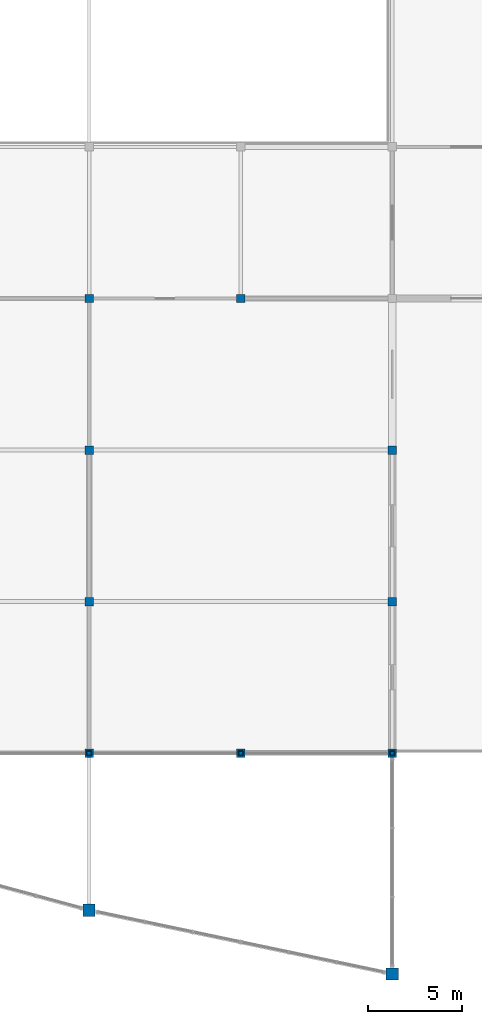
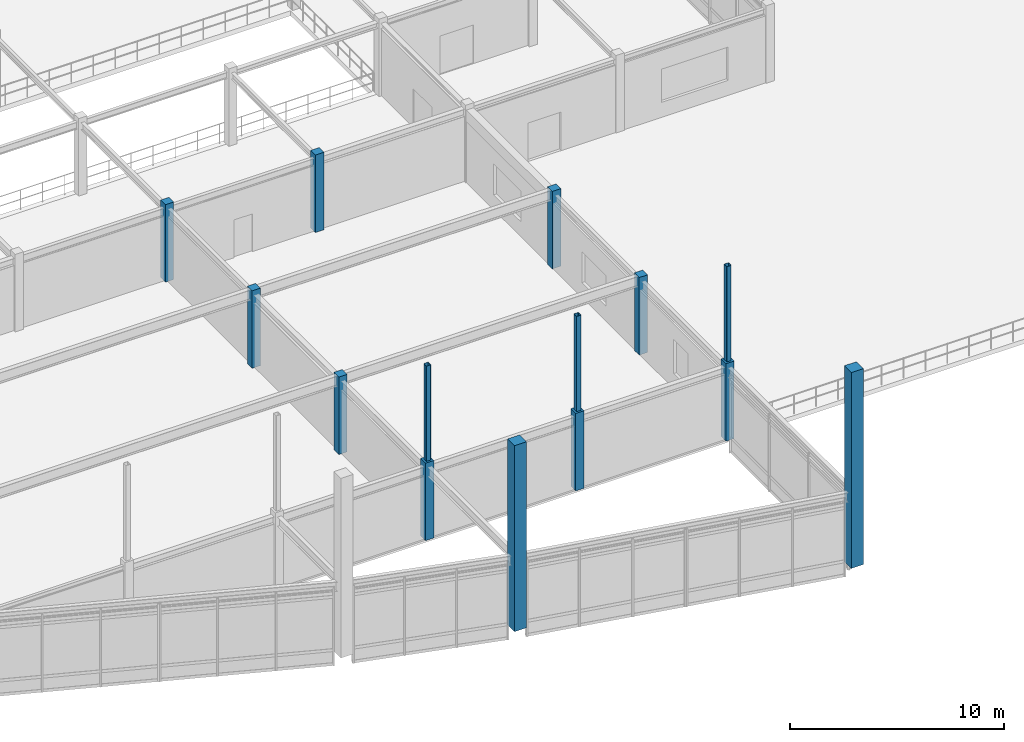
# One storey, part 4 of 89: 14 columns.
"""IFC4 building model written with IfcOpenShell, lengths in metres."""

from ifc_helpers import new_model, si_unit, direction, frame, origin, origin_2d, place, context, subcontext, project, spatial, rectangle, hollow_rectangle, extrude, material, material_profile, profile_set, type_object, element, save


model = new_model("IFC4")

# Units and contexts
model_context = context("Model", 3, precision=1e-05, world=origin(), true_north=direction((0.0, 1.0)))
body_context = subcontext(model_context, "Body", "Model", "MODEL_VIEW")
ifc_project = project(units=[si_unit("LENGTHUNIT", "METRE"), si_unit("AREAUNIT", "SQUARE_METRE"), si_unit("VOLUMEUNIT", "CUBIC_METRE"), si_unit("PLANEANGLEUNIT", "RADIAN"), si_unit("MASSUNIT", "GRAM", prefix="KILO")], contexts=[model_context])

# Site, building, storey
site_placement = place(None, origin())
site = spatial("IfcSite", under=ifc_project, at=site_placement, CompositionType="ELEMENT")
building_placement = place(site_placement, origin())
building = spatial("IfcBuilding", under=site, at=building_placement, Name="Vaudrelin Polytechnic", CompositionType="ELEMENT")
storey_placement = place(building_placement, frame((0.0, 0.0, 9.68994140625)))
storey = spatial("IfcBuildingStorey", under=building, at=storey_placement, Name="L02", CompositionType="ELEMENT", Elevation=9.68994140625)

# Columns
ifc_material_1 = material(Name="Steel CSA G40.21 350W", Category="steel")
ifc_material_profile_1 = material_profile(ifc_material_1, hollow_rectangle(XDim=0.25390625, YDim=0.25390625, WallThickness=0.0126953125, InnerFilletRadius=0.0126953125, OuterFilletRadius=0.025390625, at=origin_2d()), Name="HSS254x254x12.7")
ifc_profile_set_1 = profile_set([ifc_material_profile_1], Name="Steel CSA G40.21 350W")
column_type_1 = type_object("IfcColumnType", Name="COL-C-HSS254", PredefinedType="COLUMN", material=ifc_profile_set_1)
for number, where, z_axis, x_axis, name in (
    (1, (64.800048828125, 0.0, 4.420166015625), (0.0, 0.0, 1.0), (1.0, 0.0, 0.0), "Lecture roof south crest post 8"),
    (2, (72.89990234375, 0.0, 4.420166015625), (0.0, 0.0, 1.0), (1.0, 0.0, 0.0), "Lecture roof south crest post 9"),
    (3, (81.0, 0.0, 4.420166015625), (0.0, 0.0, 1.0), (1.0, 0.0, 0.0), "Lecture roof south crest post 10"),
):
    element("IfcColumn", number, at=place(storey_placement, frame(where, z_axis=z_axis, x_axis=x_axis)), inside=storey, type_object=column_type_1, Name=name, PredefinedType="COLUMN", context=body_context, shape_type="SweptSolid", body=[
        extrude(hollow_rectangle(XDim=0.25390625, YDim=0.25390625, WallThickness=0.0126953125, InnerFilletRadius=0.0126953125, OuterFilletRadius=0.025390625, at=origin_2d()), origin(), (0.0, 0.0, 1.0), 5.431884765625),
    ])
ifc_material_2 = material(Name="Concrete 40 MPa", Category="concrete")
ifc_material_profile_2 = material_profile(ifc_material_2, rectangle(XDim=0.449951171875, YDim=0.449951171875, at=origin_2d()), Name="RC450x450")
ifc_profile_set_2 = profile_set([ifc_material_profile_2], Name="Concrete 40 MPa")
column_type_2 = type_object("IfcColumnType", Name="COL-C-RC450", PredefinedType="COLUMN", material=ifc_profile_set_2)
for number, where, z_axis, x_axis, name in (
    (4, (64.800048828125, 0.0, 0.0), (0.0, 0.0, 1.0), (1.0, 0.0, 0.0), "Column L02 9-1"),
    (5, (64.800048828125, 8.10009765625, 0.0), (0.0, 0.0, 1.0), (1.0, 0.0, 0.0), "Column L02 9-2"),
    (6, (64.800048828125, 16.199951171875, 0.0), (0.0, 0.0, 1.0), (1.0, 0.0, 0.0), "Column L02 9-3"),
    (7, (64.800048828125, 24.300048828125, 0.0), (0.0, 0.0, 1.0), (1.0, 0.0, 0.0), "Column L02 9-4"),
    (8, (72.89990234375, 0.0, 0.0), (0.0, 0.0, 1.0), (1.0, 0.0, 0.0), "Column L02 10-1"),
    (9, (72.89990234375, 24.300048828125, 0.0), (0.0, 0.0, 1.0), (1.0, 0.0, 0.0), "Column L02 10-4"),
    (10, (81.0, 0.0, 0.0), (0.0, 0.0, 1.0), (1.0, 0.0, 0.0), "Column L02 11-1"),
    (11, (81.0, 8.10009765625, 0.0), (0.0, 0.0, 1.0), (1.0, 0.0, 0.0), "Column L02 11-2"),
    (12, (81.0, 16.199951171875, 0.0), (0.0, 0.0, 1.0), (1.0, 0.0, 0.0), "Column L02 11-3"),
):
    element("IfcColumn", number, at=place(storey_placement, frame(where, z_axis=z_axis, x_axis=x_axis)), inside=storey, type_object=column_type_2, Name=name, PredefinedType="COLUMN", context=body_context, shape_type="SweptSolid", body=[
        extrude(rectangle(XDim=0.449951171875, YDim=0.449951171875, at=origin_2d()), origin(), (0.0, 0.0, 1.0), 4.420166015625),
    ])
ifc_material_profile_3 = material_profile(ifc_material_2, rectangle(XDim=0.64990234375, YDim=0.64990234375, at=origin_2d()), Name="RC650x650")
ifc_profile_set_3 = profile_set([ifc_material_profile_3], Name="Concrete 40 MPa")
column_type_3 = type_object("IfcColumnType", Name="COL-C-RC650", PredefinedType="COLUMN", material=ifc_profile_set_3)
column_1_placement = place(storey_placement, frame((64.800048828125, -8.39990234375, 0.0), z_axis=(0.0, 0.0, 1.0), x_axis=(1.0, 0.0, 0.0)))
element("IfcColumn", 13, at=column_1_placement, inside=storey, type_object=column_type_3, Name="Deconstructivist column L02 V2P_8", PredefinedType="COLUMN", context=body_context, shape_type="SweptSolid", body=[
    extrude(rectangle(XDim=0.64990234375, YDim=0.64990234375, at=origin_2d()), origin(), (0.0, 0.0, 1.0), 10.60595703125),
])
column_2_placement = place(storey_placement, frame((81.0, -11.800048828125, 0.0), z_axis=(0.0, 0.0, 1.0), x_axis=(1.0, 0.0, 0.0)))
element("IfcColumn", 14, at=column_2_placement, inside=storey, type_object=column_type_3, Name="Deconstructivist column L02 V2P_10", PredefinedType="COLUMN", context=body_context, shape_type="SweptSolid", body=[
    extrude(rectangle(XDim=0.64990234375, YDim=0.64990234375, at=origin_2d()), origin(), (0.0, 0.0, 1.0), 11.1669921875),
])

save(model, "model.ifc")
